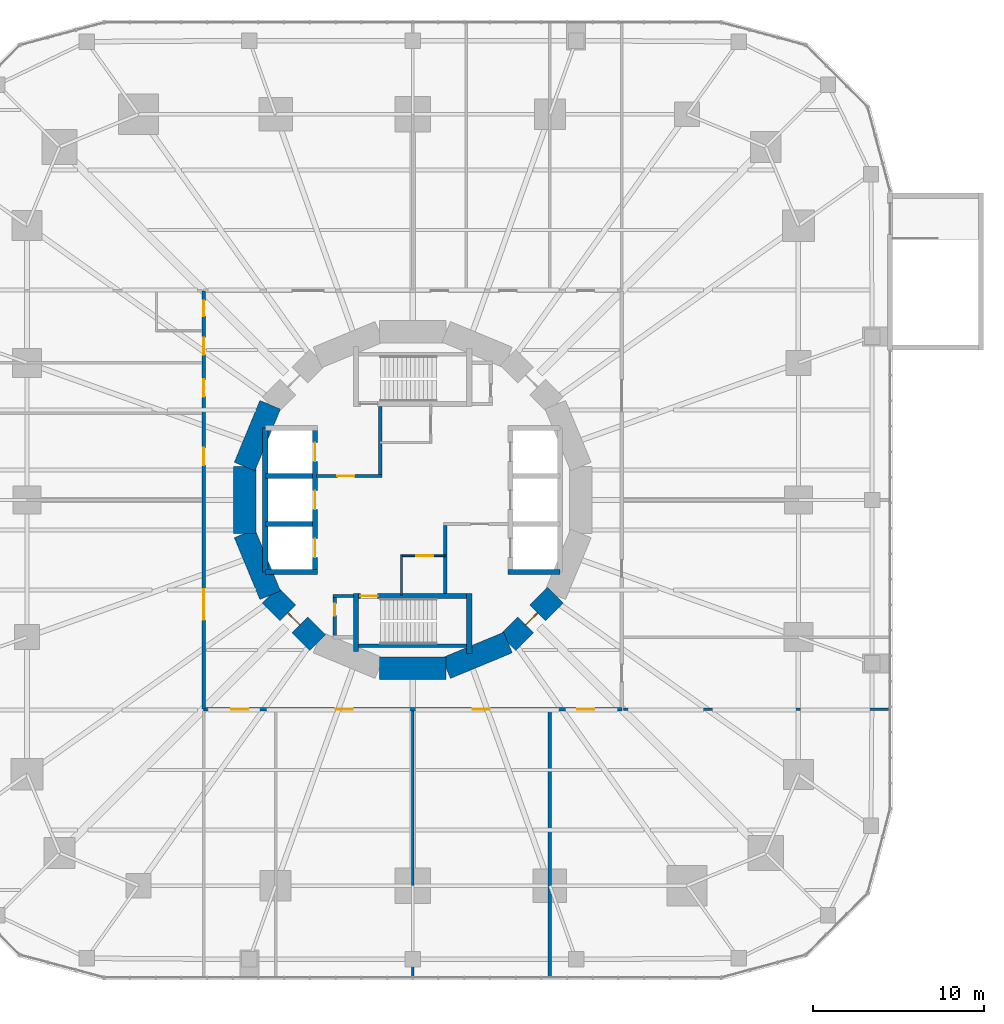
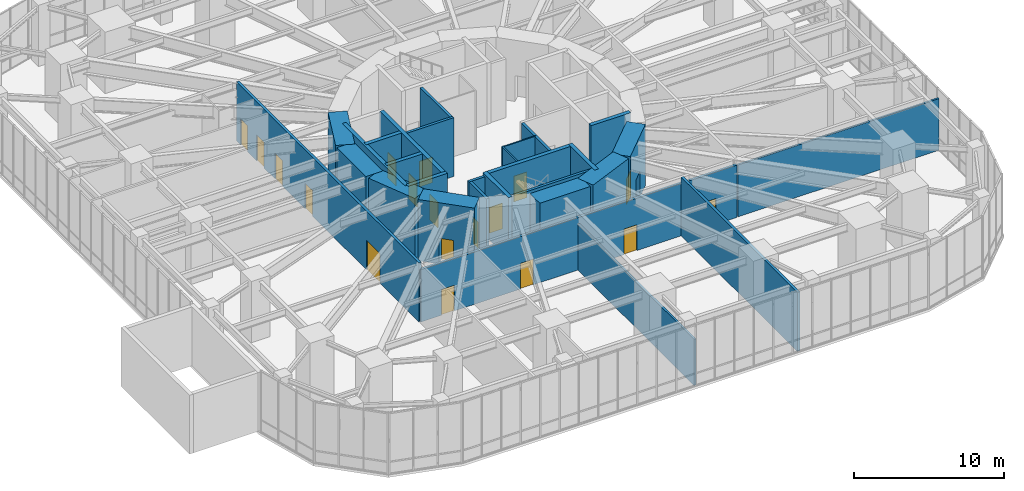
# One storey, part 21 of 24: 29 walls, 18 doors, 18 openings.
"""IFC4 building model written with IfcOpenShell, lengths in metres."""

from ifc_helpers import new_model, si_unit, direction, frame, frame_2d, origin, place, context, subcontext, project, spatial, rectangle, extrude, material, layer, layer_set, type_object, element, fill, save


model = new_model("IFC4")

# Units and contexts
model_context = context("Model", 3, precision=1e-05, world=origin(), true_north=direction((0.0, 1.0)))
body_context = subcontext(model_context, "Body", "Model", "MODEL_VIEW")
ifc_project = project(units=[si_unit("LENGTHUNIT", "METRE"), si_unit("AREAUNIT", "SQUARE_METRE"), si_unit("VOLUMEUNIT", "CUBIC_METRE"), si_unit("PLANEANGLEUNIT", "RADIAN"), si_unit("MASSUNIT", "GRAM", prefix="KILO")], contexts=[model_context])

# Site, building, storey
site_placement = place(None, origin())
site = spatial("IfcSite", under=ifc_project, at=site_placement, CompositionType="ELEMENT")
building_placement = place(site_placement, origin())
building = spatial("IfcBuilding", under=site, at=building_placement, Name="Nakasero Lantern House", CompositionType="ELEMENT")
storey_placement = place(building_placement, frame((0.0, 0.0, 11.0)))
storey = spatial("IfcBuildingStorey", under=building, at=storey_placement, Name="L02", CompositionType="ELEMENT", Elevation=11.0)

# Wall, openings, doors
ifc_material_1 = material(Name="Concrete C50/60", Category="concrete")
ifc_layer_1 = layer(ifc_material_1, 0.300048828125)
ifc_layer_set_1 = layer_set([ifc_layer_1], Name="Core inner wall 300")
wall_type_1 = type_object("IfcWallType", Name="Core inner wall 300", PredefinedType="SHEAR", material=ifc_layer_set_1)
wall_1_placement = place(storey_placement, frame((-5.699951171875, -4.199951171875, 0.0), z_axis=(0.0, 0.0, 1.0), x_axis=(0.0, 1.0, 0.0)))
wall_1 = element("IfcWall", 1, at=wall_1_placement, inside=storey, type_object=wall_type_1, Name="Core inner wall L02 LW", PredefinedType="SHEAR", context=body_context, shape_type="SweptSolid", body=[
    extrude(rectangle(XDim=8.39990234375, YDim=0.300048828125, at=frame_2d((4.199951171875, 0.0))), origin(), (0.0, 0.0, 1.0), 5.0),
])
opening_1_placement = place(wall_1_placement, frame((0.85009765625, 0.0, 0.0)))
opening_1 = element("IfcOpeningElement", 2, at=opening_1_placement, cuts=wall_1, Name="Opening LD", PredefinedType="OPENING", context=body_context, shape_type="SweptSolid", body=[
    extrude(rectangle(XDim=1.10009765625, YDim=2.10009765625, at=frame_2d((0.550048828125, 1.050048828125))), frame((0.0, 0.169921875, 0.0), z_axis=(0.0, -1.0, 0.0), x_axis=(1.0, 0.0, 0.0)), (0.0, 0.0, 1.0), 0.340087890625),
])
opening_2_placement = place(wall_1_placement, frame((3.64990234375, 0.0, 0.0)))
opening_2 = element("IfcOpeningElement", 3, at=opening_2_placement, cuts=wall_1, Name="Opening LD", PredefinedType="OPENING", context=body_context, shape_type="SweptSolid", body=[
    extrude(rectangle(XDim=1.10009765625, YDim=2.10009765625, at=frame_2d((0.550048828125, 1.050048828125))), frame((0.0, 0.169921875, 0.0), z_axis=(0.0, -1.0, 0.0), x_axis=(1.0, 0.0, 0.0)), (0.0, 0.0, 1.0), 0.340087890625),
])
opening_3_placement = place(wall_1_placement, frame((6.449951171875, 0.0, 0.0)))
opening_3 = element("IfcOpeningElement", 4, at=opening_3_placement, cuts=wall_1, Name="Opening LD", PredefinedType="OPENING", context=body_context, shape_type="SweptSolid", body=[
    extrude(rectangle(XDim=1.10009765625, YDim=2.10009765625, at=frame_2d((0.550048828125, 1.050048828125))), frame((0.0, 0.169921875, 0.0), z_axis=(0.0, -1.0, 0.0), x_axis=(1.0, 0.0, 0.0)), (0.0, 0.0, 1.0), 0.340087890625),
])
ifc_material_2 = material(Name="Steel S355", Category="steel")
door_type_1 = type_object("IfcDoorType", Name="Lift landing door E120 1100", OperationType="SLIDING_TO_LEFT", PredefinedType="DOOR", material=ifc_material_2)
door_1_placement = place(opening_1_placement, origin())
door_1 = element("IfcDoor", 5, at=door_1_placement, inside=storey, type_object=door_type_1, Name="Lift landing door LW1", OperationType="SLIDING_TO_LEFT", OverallHeight=2.10009765625, OverallWidth=1.10009765625, PredefinedType="DOOR", context=body_context, shape_type="SweptSolid", body=[
    extrude(rectangle(XDim=1.10009765625, YDim=2.10009765625, at=frame_2d((0.550048828125, 1.050048828125))), frame((0.0, 0.02490234375, 0.0), z_axis=(0.0, -1.0, 0.0), x_axis=(1.0, 0.0, 0.0)), (0.0, 0.0, 1.0), 0.050048828125),
])
fill(opening_1, door_1)
door_2_placement = place(opening_2_placement, origin())
door_2 = element("IfcDoor", 6, at=door_2_placement, inside=storey, type_object=door_type_1, Name="Lift landing door LW2", OperationType="SLIDING_TO_LEFT", OverallHeight=2.10009765625, OverallWidth=1.10009765625, PredefinedType="DOOR", context=body_context, shape_type="SweptSolid", body=[
    extrude(rectangle(XDim=1.10009765625, YDim=2.10009765625, at=frame_2d((0.550048828125, 1.050048828125))), frame((0.0, 0.02490234375, 0.0), z_axis=(0.0, -1.0, 0.0), x_axis=(1.0, 0.0, 0.0)), (0.0, 0.0, 1.0), 0.050048828125),
])
fill(opening_2, door_2)
door_3_placement = place(opening_3_placement, origin())
door_3 = element("IfcDoor", 7, at=door_3_placement, inside=storey, type_object=door_type_1, Name="Lift landing door LW3", OperationType="SLIDING_TO_LEFT", OverallHeight=2.10009765625, OverallWidth=1.10009765625, PredefinedType="DOOR", context=body_context, shape_type="SweptSolid", body=[
    extrude(rectangle(XDim=1.10009765625, YDim=2.10009765625, at=frame_2d((0.550048828125, 1.050048828125))), frame((0.0, 0.02490234375, 0.0), z_axis=(0.0, -1.0, 0.0), x_axis=(1.0, 0.0, 0.0)), (0.0, 0.0, 1.0), 0.050048828125),
])
fill(opening_3, door_3)

# Walls
for number, where, z_axis, x_axis, name in (
    (8, (-8.60009765625, -4.199951171875, 0.0), (0.0, 0.0, 1.0), (1.0, 0.0, 0.0), "Core inner wall L02 LWS"),
    (9, (5.550048828125, -4.199951171875, 0.0), (0.0, 0.0, 1.0), (1.0, 0.0, 0.0), "Core inner wall L02 LES"),
):
    element("IfcWall", number, at=place(storey_placement, frame(where, z_axis=z_axis, x_axis=x_axis)), inside=storey, type_object=wall_type_1, Name=name, PredefinedType="SHEAR", context=body_context, shape_type="SweptSolid", body=[
        extrude(rectangle(XDim=3.050048828125, YDim=0.300048828125, at=frame_2d((1.52490234375, 0.0))), origin(), (0.0, 0.0, 1.0), 5.0),
    ])
wall_2_placement = place(storey_placement, frame((-8.60009765625, -4.199951171875, 0.0), z_axis=(0.0, 0.0, 1.0), x_axis=(0.0, 1.0, 0.0)))
element("IfcWall", 10, at=wall_2_placement, inside=storey, type_object=wall_type_1, Name="Core inner wall L02 LWB", PredefinedType="SHEAR", context=body_context, shape_type="SweptSolid", body=[
    extrude(rectangle(XDim=8.39990234375, YDim=0.300048828125, at=frame_2d((4.199951171875, 0.0))), origin(), (0.0, 0.0, 1.0), 5.0),
])
for number, where, z_axis, x_axis, name in (
    (11, (-8.60009765625, -1.39990234375, 0.0), (0.0, 0.0, 1.0), (1.0, 0.0, 0.0), "Core inner wall L02 LW1"),
    (12, (-8.60009765625, 1.39990234375, 0.0), (0.0, 0.0, 1.0), (1.0, 0.0, 0.0), "Core inner wall L02 LW2"),
):
    element("IfcWall", number, at=place(storey_placement, frame(where, z_axis=z_axis, x_axis=x_axis)), inside=storey, type_object=wall_type_1, Name=name, PredefinedType="SHEAR", context=body_context, shape_type="SweptSolid", body=[
        extrude(rectangle(XDim=2.75, YDim=0.300048828125, at=frame_2d((1.375, 0.0))), origin(), (0.0, 0.0, 1.0), 5.0),
    ])

# Wall, opening, door
wall_3_placement = place(storey_placement, frame((-3.449951171875, -5.60009765625, 0.0), z_axis=(0.0, 0.0, 1.0), x_axis=(1.0, 0.0, 0.0)))
wall_3 = element("IfcWall", 13, at=wall_3_placement, inside=storey, type_object=wall_type_1, Name="Core inner wall L02 SS", PredefinedType="SHEAR", context=body_context, shape_type="SweptSolid", body=[
    extrude(rectangle(XDim=6.89990234375, YDim=0.300048828125, at=frame_2d((3.449951171875, 0.0))), origin(), (0.0, 0.0, 1.0), 5.0),
])
opening_4_placement = place(wall_3_placement, frame((0.39990234375, 0.0, 0.0)))
opening_4 = element("IfcOpeningElement", 14, at=opening_4_placement, cuts=wall_3, Name="Opening D05", PredefinedType="OPENING", context=body_context, shape_type="SweptSolid", body=[
    extrude(rectangle(XDim=1.0, YDim=2.10009765625, at=frame_2d((0.5, 1.050048828125))), frame((0.0, 0.169921875, 0.0), z_axis=(0.0, -1.0, 0.0), x_axis=(1.0, 0.0, 0.0)), (0.0, 0.0, 1.0), 0.340087890625),
])
ifc_material_3 = material(Name="Timber C24", Category="wood")
door_type_2 = type_object("IfcDoorType", Name="Core door FD60S 1000", OperationType="SINGLE_SWING_LEFT", PredefinedType="DOOR", material=ifc_material_3)
door_4_placement = place(opening_4_placement, origin())
door_4 = element("IfcDoor", 15, at=door_4_placement, inside=storey, type_object=door_type_2, Name="Door L02 D-ST2", OperationType="SINGLE_SWING_LEFT", OverallHeight=2.10009765625, OverallWidth=1.0, PredefinedType="DOOR", context=body_context, shape_type="SweptSolid", body=[
    extrude(rectangle(XDim=1.0, YDim=2.10009765625, at=frame_2d((0.5, 1.050048828125))), frame((0.0, 0.02490234375, 0.0), z_axis=(0.0, -1.0, 0.0), x_axis=(1.0, 0.0, 0.0)), (0.0, 0.0, 1.0), 0.050048828125),
])
fill(opening_4, door_4)

# Walls
wall_4_placement = place(storey_placement, frame((-3.300048828125, -5.449951171875, 0.0), z_axis=(0.0, 0.0, 1.0), x_axis=(0.0, -1.0, 0.0)))
element("IfcWall", 16, at=wall_4_placement, inside=storey, type_object=wall_type_1, Name="Core inner wall L02 SSW", PredefinedType="SHEAR", context=body_context, shape_type="SweptSolid", body=[
    extrude(rectangle(XDim=3.400146484375, YDim=0.300048828125, at=frame_2d((1.7001953125, 0.0))), origin(), (0.0, 0.0, 1.0), 5.0),
])
wall_5_placement = place(storey_placement, frame((3.300048828125, -5.449951171875, 0.0), z_axis=(0.0, 0.0, 1.0), x_axis=(0.0, -1.0, 0.0)))
element("IfcWall", 17, at=wall_5_placement, inside=storey, type_object=wall_type_1, Name="Core inner wall L02 SSE", PredefinedType="SHEAR", context=body_context, shape_type="SweptSolid", body=[
    extrude(rectangle(XDim=3.5, YDim=0.300048828125, at=frame_2d((1.75, 0.0))), origin(), (0.0, 0.0, 1.0), 5.0),
])

# Wall, opening, door
ifc_material_4 = material(Name="Blockwork", Category="masonry")
ifc_layer_2 = layer(ifc_material_4, 0.10009765625)
ifc_layer_set_2 = layer_set([ifc_layer_2], Name="Core room wall 100")
wall_type_2 = type_object("IfcWallType", Name="Core room wall 100", PredefinedType="PARTITIONING", material=ifc_layer_set_2)
wall_6_placement = place(storey_placement, frame((-0.699951171875, -3.25, 0.0), z_axis=(0.0, 0.0, 1.0), x_axis=(1.0, 0.0, 0.0)))
wall_6 = element("IfcWall", 18, at=wall_6_placement, inside=storey, type_object=wall_type_2, Name="Core room wall L02 CR-SWN", PredefinedType="PARTITIONING", context=body_context, shape_type="SweptSolid", body=[
    extrude(rectangle(XDim=2.599853515625, YDim=0.10009765625, at=frame_2d((1.2998046875, 0.0))), origin(), (0.0, 0.0, 1.0), 4.800048828125),
])
opening_5_placement = place(wall_6_placement, frame((0.89990234375, 0.0, 0.0)))
opening_5 = element("IfcOpeningElement", 19, at=opening_5_placement, cuts=wall_6, Name="Opening D07", PredefinedType="OPENING", context=body_context, shape_type="SweptSolid", body=[
    extrude(rectangle(XDim=1.0, YDim=2.10009765625, at=frame_2d((0.5, 1.050048828125))), frame((0.0, 0.070068359375, 0.0), z_axis=(0.0, -1.0, 0.0), x_axis=(1.0, 0.0, 0.0)), (0.0, 0.0, 1.0), 0.14013671875),
])
ifc_material_5 = material(Name="Timber C24", Category="wood")
door_type_3 = type_object("IfcDoorType", Name="Room door FD30S 1000", OperationType="SINGLE_SWING_LEFT", PredefinedType="DOOR", material=ifc_material_5)
door_5_placement = place(opening_5_placement, origin())
door_5 = element("IfcDoor", 20, at=door_5_placement, inside=storey, type_object=door_type_3, Name="Door L02 D-CR-SW", OperationType="SINGLE_SWING_RIGHT", OverallHeight=2.10009765625, OverallWidth=1.0, PredefinedType="DOOR", context=body_context, shape_type="SweptSolid", body=[
    extrude(rectangle(XDim=1.0, YDim=2.10009765625, at=frame_2d((0.5, 1.050048828125))), frame((0.0, 0.02490234375, 0.0), z_axis=(0.0, -1.0, 0.0), x_axis=(1.0, 0.0, 0.0)), (0.0, 0.0, 1.0), 0.050048828125),
])
fill(opening_5, door_5)

# Walls
wall_7_placement = place(storey_placement, frame((-0.64990234375, -5.550048828125, 0.0), z_axis=(0.0, 0.0, 1.0), x_axis=(0.0, 1.0, 0.0)))
element("IfcWall", 21, at=wall_7_placement, inside=storey, type_object=wall_type_2, Name="Core room wall L02 CR-SWW", PredefinedType="PARTITIONING", context=body_context, shape_type="SweptSolid", body=[
    extrude(rectangle(XDim=2.35009765625, YDim=0.10009765625, at=frame_2d((1.175048828125, 0.0))), origin(), (0.0, 0.0, 1.0), 4.800048828125),
])
ifc_material_6 = material(Name="Concrete C50/60", Category="concrete")
ifc_layer_3 = layer(ifc_material_6, 1.300048828125)
ifc_layer_set_3 = layer_set([ifc_layer_3], Name="Core wall 1300")
wall_type_3 = type_object("IfcWallType", Name="Core wall 1300", PredefinedType="SHEAR", material=ifc_layer_set_3)
for number, where, z_axis, x_axis, name in (
    (22, (-8.314697265625, 5.5556640625, 0.0), (0.0, 0.0, 1.0), (-0.382690736062, -0.923876507187, 0.0), "Core wall L02 facet 7"),
    (23, (-9.807861328125, 1.950927734375, 0.0), (0.0, 0.0, 1.0), (0.0, -1.0, 0.0), "Core wall L02 facet 8"),
    (24, (-9.807861328125, -1.950927734375, 0.0), (0.0, 0.0, 1.0), (0.382690736062, -0.923876507187, 0.0), "Core wall L02 facet 9"),
):
    element("IfcWall", number, at=place(storey_placement, frame(where, z_axis=z_axis, x_axis=x_axis)), inside=storey, type_object=wall_type_3, Name=name, PredefinedType="SHEAR", context=body_context, shape_type="SweptSolid", body=[
        extrude(rectangle(XDim=3.90185546875, YDim=1.300048828125, at=frame_2d((1.950927734375, 0.0))), origin(), (0.0, 0.0, 1.0), 5.0),
    ])

# Wall, opening, door
wall_8_placement = place(storey_placement, frame((-8.314697265625, -5.5556640625, 0.0), z_axis=(0.0, 0.0, 1.0), x_axis=(0.707106781187, -0.707106781187, 0.0)))
wall_8 = element("IfcWall", 25, at=wall_8_placement, inside=storey, type_object=wall_type_3, Name="Core wall L02 facet 10", PredefinedType="SHEAR", context=body_context, shape_type="SweptSolid", body=[
    extrude(rectangle(XDim=3.90185546875, YDim=1.300048828125, at=frame_2d((1.950927734375, 0.0))), origin(), (0.0, 0.0, 1.0), 5.0),
])
opening_6_placement = place(wall_8_placement, frame((1.450927734375, 0.0, 0.0)))
opening_6 = element("IfcOpeningElement", 26, at=opening_6_placement, cuts=wall_8, Name="Opening D05", PredefinedType="OPENING", context=body_context, shape_type="SweptSolid", body=[
    extrude(rectangle(XDim=1.0, YDim=2.10009765625, at=frame_2d((0.5, 1.050048828125))), frame((0.0, 0.669921875, 0.0), z_axis=(0.0, -1.0, 0.0), x_axis=(1.0, 0.0, 0.0)), (0.0, 0.0, 1.0), 1.340087890625),
])
door_6_placement = place(opening_6_placement, origin())
door_6 = element("IfcDoor", 27, at=door_6_placement, inside=storey, type_object=door_type_2, Name="Door L02 D-CORE10", OperationType="SINGLE_SWING_LEFT", OverallHeight=2.10009765625, OverallWidth=1.0, PredefinedType="DOOR", context=body_context, shape_type="SweptSolid", body=[
    extrude(rectangle(XDim=1.0, YDim=2.10009765625, at=frame_2d((0.5, 1.050048828125))), frame((0.0, 0.02490234375, 0.0), z_axis=(0.0, -1.0, 0.0), x_axis=(1.0, 0.0, 0.0)), (0.0, 0.0, 1.0), 0.050048828125),
])
fill(opening_6, door_6)

# Walls
for number, where, z_axis, x_axis, name in (
    (28, (-1.950927734375, -9.807861328125, 0.0), (0.0, 0.0, 1.0), (1.0, 0.0, 0.0), "Core wall L02 facet 12"),
    (29, (1.950927734375, -9.807861328125, 0.0), (0.0, 0.0, 1.0), (0.923876507187, 0.382690736062, 0.0), "Core wall L02 facet 13"),
):
    element("IfcWall", number, at=place(storey_placement, frame(where, z_axis=z_axis, x_axis=x_axis)), inside=storey, type_object=wall_type_3, Name=name, PredefinedType="SHEAR", context=body_context, shape_type="SweptSolid", body=[
        extrude(rectangle(XDim=3.90185546875, YDim=1.300048828125, at=frame_2d((1.950927734375, 0.0))), origin(), (0.0, 0.0, 1.0), 5.0),
    ])

# Wall, opening, door
wall_9_placement = place(storey_placement, frame((5.5556640625, -8.314697265625, 0.0), z_axis=(0.0, 0.0, 1.0), x_axis=(0.707106781187, 0.707106781187, 0.0)))
wall_9 = element("IfcWall", 30, at=wall_9_placement, inside=storey, type_object=wall_type_3, Name="Core wall L02 facet 14", PredefinedType="SHEAR", context=body_context, shape_type="SweptSolid", body=[
    extrude(rectangle(XDim=3.90185546875, YDim=1.300048828125, at=frame_2d((1.950927734375, 0.0))), origin(), (0.0, 0.0, 1.0), 5.0),
])
opening_7_placement = place(wall_9_placement, frame((1.450927734375, 0.0, 0.0)))
opening_7 = element("IfcOpeningElement", 31, at=opening_7_placement, cuts=wall_9, Name="Opening D05", PredefinedType="OPENING", context=body_context, shape_type="SweptSolid", body=[
    extrude(rectangle(XDim=1.0, YDim=2.10009765625, at=frame_2d((0.5, 1.050048828125))), frame((0.0, 0.669921875, 0.0), z_axis=(0.0, -1.0, 0.0), x_axis=(1.0, 0.0, 0.0)), (0.0, 0.0, 1.0), 1.340087890625),
])
door_7_placement = place(opening_7_placement, origin())
door_7 = element("IfcDoor", 32, at=door_7_placement, inside=storey, type_object=door_type_2, Name="Door L02 D-CORE14", OperationType="SINGLE_SWING_LEFT", OverallHeight=2.10009765625, OverallWidth=1.0, PredefinedType="DOOR", context=body_context, shape_type="SweptSolid", body=[
    extrude(rectangle(XDim=1.0, YDim=2.10009765625, at=frame_2d((0.5, 1.050048828125))), frame((0.0, 0.02490234375, 0.0), z_axis=(0.0, -1.0, 0.0), x_axis=(1.0, 0.0, 0.0)), (0.0, 0.0, 1.0), 0.050048828125),
])
fill(opening_7, door_7)

# Wall, openings, doors
ifc_material_7 = material(Name="Blockwork", Category="masonry")
ifc_layer_4 = layer(ifc_material_7, 0.199951171875)
ifc_layer_set_4 = layer_set([ifc_layer_4], Name="Corridor wall 200")
wall_type_4 = type_object("IfcWallType", Name="Corridor wall 200", PredefinedType="PARTITIONING", material=ifc_layer_set_4)
wall_10_placement = place(storey_placement, frame((-12.199951171875, 12.199951171875, 0.0), z_axis=(0.0, 0.0, 1.0), x_axis=(0.0, -1.0, 0.0)))
wall_10 = element("IfcWall", 33, at=wall_10_placement, inside=storey, type_object=wall_type_4, Name="Corridor wall L02 CW2", PredefinedType="PARTITIONING", context=body_context, shape_type="SweptSolid", body=[
    extrude(rectangle(XDim=24.39990234375, YDim=0.199951171875, at=frame_2d((12.199951171875, 0.0))), origin(), (0.0, 0.0, 1.0), 4.800048828125),
])
opening_8_placement = place(wall_10_placement, frame((0.574951171875, 0.0, 0.0)))
opening_8 = element("IfcOpeningElement", 34, at=opening_8_placement, cuts=wall_10, Name="Opening D16", PredefinedType="OPENING", context=body_context, shape_type="SweptSolid", body=[
    extrude(rectangle(XDim=0.89990234375, YDim=2.10009765625, at=frame_2d((0.449951171875, 1.050048828125))), frame((0.0, 0.119873046875, 0.0), z_axis=(0.0, -1.0, 0.0), x_axis=(1.0, 0.0, 0.0)), (0.0, 0.0, 1.0), 0.239990234375),
])
opening_9_placement = place(wall_10_placement, frame((2.72509765625, 0.0, 0.0)))
opening_9 = element("IfcOpeningElement", 35, at=opening_9_placement, cuts=wall_10, Name="Opening D07", PredefinedType="OPENING", context=body_context, shape_type="SweptSolid", body=[
    extrude(rectangle(XDim=1.0, YDim=2.10009765625, at=frame_2d((0.5, 1.050048828125))), frame((0.0, 0.119873046875, 0.0), z_axis=(0.0, -1.0, 0.0), x_axis=(1.0, 0.0, 0.0)), (0.0, 0.0, 1.0), 0.239990234375),
])
opening_10_placement = place(wall_10_placement, frame((5.1640625, 0.0, 0.0)))
opening_10 = element("IfcOpeningElement", 36, at=opening_10_placement, cuts=wall_10, Name="Opening D07", PredefinedType="OPENING", context=body_context, shape_type="SweptSolid", body=[
    extrude(rectangle(XDim=1.0, YDim=2.10009765625, at=frame_2d((0.5, 1.050048828125))), frame((0.0, 0.119873046875, 0.0), z_axis=(0.0, -1.0, 0.0), x_axis=(1.0, 0.0, 0.0)), (0.0, 0.0, 1.0), 0.239990234375),
])
opening_11_placement = place(wall_10_placement, frame((9.1640625, 0.0, 0.0)))
opening_11 = element("IfcOpeningElement", 37, at=opening_11_placement, cuts=wall_10, Name="Opening D07", PredefinedType="OPENING", context=body_context, shape_type="SweptSolid", body=[
    extrude(rectangle(XDim=1.0, YDim=2.10009765625, at=frame_2d((0.5, 1.050048828125))), frame((0.0, 0.119873046875, 0.0), z_axis=(0.0, -1.0, 0.0), x_axis=(1.0, 0.0, 0.0)), (0.0, 0.0, 1.0), 0.239990234375),
])
opening_12_placement = place(wall_10_placement, frame((17.39990234375, 0.0, 0.0)))
opening_12 = element("IfcOpeningElement", 38, at=opening_12_placement, cuts=wall_10, Name="Opening D12", PredefinedType="OPENING", context=body_context, shape_type="SweptSolid", body=[
    extrude(rectangle(XDim=1.800048828125, YDim=2.39990234375, at=frame_2d((0.89990234375, 1.199951171875))), frame((0.0, 0.119873046875, 0.0), z_axis=(0.0, -1.0, 0.0), x_axis=(1.0, 0.0, 0.0)), (0.0, 0.0, 1.0), 0.239990234375),
])
ifc_material_8 = material(Name="Timber C24", Category="wood")
door_type_4 = type_object("IfcDoorType", Name="Accessible WC door 900", OperationType="SINGLE_SWING_RIGHT", PredefinedType="DOOR", material=ifc_material_8)
door_8_placement = place(opening_8_placement, origin())
door_8 = element("IfcDoor", 39, at=door_8_placement, inside=storey, type_object=door_type_4, Name="Door L02 DW2-00", OperationType="SINGLE_SWING_LEFT", OverallHeight=2.10009765625, OverallWidth=0.89990234375, PredefinedType="DOOR", context=body_context, shape_type="SweptSolid", body=[
    extrude(rectangle(XDim=0.89990234375, YDim=2.10009765625, at=frame_2d((0.449951171875, 1.050048828125))), frame((0.0, 0.02490234375, 0.0), z_axis=(0.0, -1.0, 0.0), x_axis=(1.0, 0.0, 0.0)), (0.0, 0.0, 1.0), 0.050048828125),
])
fill(opening_8, door_8)
door_9_placement = place(opening_9_placement, origin())
door_9 = element("IfcDoor", 40, at=door_9_placement, inside=storey, type_object=door_type_3, Name="Door L02 D2-00", OperationType="SINGLE_SWING_LEFT", OverallHeight=2.10009765625, OverallWidth=1.0, PredefinedType="DOOR", context=body_context, shape_type="SweptSolid", body=[
    extrude(rectangle(XDim=1.0, YDim=2.10009765625, at=frame_2d((0.5, 1.050048828125))), frame((0.0, 0.02490234375, 0.0), z_axis=(0.0, -1.0, 0.0), x_axis=(1.0, 0.0, 0.0)), (0.0, 0.0, 1.0), 0.050048828125),
])
fill(opening_9, door_9)
door_10_placement = place(opening_10_placement, origin())
door_10 = element("IfcDoor", 41, at=door_10_placement, inside=storey, type_object=door_type_3, Name="Door L02 D2-01", OperationType="SINGLE_SWING_LEFT", OverallHeight=2.10009765625, OverallWidth=1.0, PredefinedType="DOOR", context=body_context, shape_type="SweptSolid", body=[
    extrude(rectangle(XDim=1.0, YDim=2.10009765625, at=frame_2d((0.5, 1.050048828125))), frame((0.0, 0.02490234375, 0.0), z_axis=(0.0, -1.0, 0.0), x_axis=(1.0, 0.0, 0.0)), (0.0, 0.0, 1.0), 0.050048828125),
])
fill(opening_10, door_10)
door_11_placement = place(opening_11_placement, origin())
door_11 = element("IfcDoor", 42, at=door_11_placement, inside=storey, type_object=door_type_3, Name="Door L02 D2-02", OperationType="SINGLE_SWING_LEFT", OverallHeight=2.10009765625, OverallWidth=1.0, PredefinedType="DOOR", context=body_context, shape_type="SweptSolid", body=[
    extrude(rectangle(XDim=1.0, YDim=2.10009765625, at=frame_2d((0.5, 1.050048828125))), frame((0.0, 0.02490234375, 0.0), z_axis=(0.0, -1.0, 0.0), x_axis=(1.0, 0.0, 0.0)), (0.0, 0.0, 1.0), 0.050048828125),
])
fill(opening_11, door_11)
ifc_material_9 = material(Name="Timber C24", Category="wood")
door_type_5 = type_object("IfcDoorType", Name="Room doors FD30S 1800", OperationType="DOUBLE_DOOR_SINGLE_SWING", PredefinedType="DOOR", material=ifc_material_9)
door_12_placement = place(opening_12_placement, origin())
door_12 = element("IfcDoor", 43, at=door_12_placement, inside=storey, type_object=door_type_5, Name="Door L02 D2-03", OperationType="DOUBLE_DOOR_SINGLE_SWING", OverallHeight=2.39990234375, OverallWidth=1.800048828125, PredefinedType="DOOR", context=body_context, shape_type="SweptSolid", body=[
    extrude(rectangle(XDim=1.800048828125, YDim=2.39990234375, at=frame_2d((0.89990234375, 1.199951171875))), frame((0.0, 0.02490234375, 0.0), z_axis=(0.0, -1.0, 0.0), x_axis=(1.0, 0.0, 0.0)), (0.0, 0.0, 1.0), 0.050048828125),
])
fill(opening_12, door_12)

wall_11_placement = place(storey_placement, frame((-12.199951171875, -12.199951171875, 0.0), z_axis=(0.0, 0.0, 1.0), x_axis=(1.0, 0.0, 0.0)))
wall_11 = element("IfcWall", 44, at=wall_11_placement, inside=storey, type_object=wall_type_4, Name="Corridor wall L02 CW3", PredefinedType="PARTITIONING", context=body_context, shape_type="SweptSolid", body=[
    extrude(rectangle(XDim=24.39990234375, YDim=0.199951171875, at=frame_2d((12.199951171875, 0.0))), origin(), (0.0, 0.0, 1.0), 4.271728515625),
])
opening_13_placement = place(wall_11_placement, frame((1.60009765625, 0.0, 0.0)))
opening_13 = element("IfcOpeningElement", 45, at=opening_13_placement, cuts=wall_11, Name="Opening D07", PredefinedType="OPENING", context=body_context, shape_type="SweptSolid", body=[
    extrude(rectangle(XDim=1.0, YDim=2.10009765625, at=frame_2d((0.5, 1.050048828125))), frame((0.0, 0.119873046875, 0.0), z_axis=(0.0, -1.0, 0.0), x_axis=(1.0, 0.0, 0.0)), (0.0, 0.0, 1.0), 0.239990234375),
])
opening_14_placement = place(wall_11_placement, frame((7.699951171875, 0.0, 0.0)))
opening_14 = element("IfcOpeningElement", 46, at=opening_14_placement, cuts=wall_11, Name="Opening D07", PredefinedType="OPENING", context=body_context, shape_type="SweptSolid", body=[
    extrude(rectangle(XDim=1.0, YDim=2.10009765625, at=frame_2d((0.5, 1.050048828125))), frame((0.0, 0.119873046875, 0.0), z_axis=(0.0, -1.0, 0.0), x_axis=(1.0, 0.0, 0.0)), (0.0, 0.0, 1.0), 0.239990234375),
])
opening_15_placement = place(wall_11_placement, frame((15.699951171875, 0.0, 0.0)))
opening_15 = element("IfcOpeningElement", 47, at=opening_15_placement, cuts=wall_11, Name="Opening D07", PredefinedType="OPENING", context=body_context, shape_type="SweptSolid", body=[
    extrude(rectangle(XDim=1.0, YDim=2.10009765625, at=frame_2d((0.5, 1.050048828125))), frame((0.0, 0.119873046875, 0.0), z_axis=(0.0, -1.0, 0.0), x_axis=(1.0, 0.0, 0.0)), (0.0, 0.0, 1.0), 0.239990234375),
])
opening_16_placement = place(wall_11_placement, frame((21.79833984375, 0.0, 0.0)))
opening_16 = element("IfcOpeningElement", 48, at=opening_16_placement, cuts=wall_11, Name="Opening D13", PredefinedType="OPENING", context=body_context, shape_type="SweptSolid", body=[
    extrude(rectangle(XDim=1.0, YDim=2.10009765625, at=frame_2d((0.5, 1.050048828125))), frame((0.0, 0.119873046875, 0.0), z_axis=(0.0, -1.0, 0.0), x_axis=(1.0, 0.0, 0.0)), (0.0, 0.0, 1.0), 0.239990234375),
])
ifc_material_10 = material(Name="Steel S355", Category="steel")
door_type_6 = type_object("IfcDoorType", Name="Plant room door FD60 1000", OperationType="SINGLE_SWING_LEFT", PredefinedType="DOOR", material=ifc_material_10)
door_13_placement = place(opening_16_placement, origin())
door_13 = element("IfcDoor", 49, at=door_13_placement, inside=storey, type_object=door_type_6, Name="Door L02 D3-03", OperationType="SINGLE_SWING_RIGHT", OverallHeight=2.10009765625, OverallWidth=1.0, PredefinedType="DOOR", context=body_context, shape_type="SweptSolid", body=[
    extrude(rectangle(XDim=1.0, YDim=2.10009765625, at=frame_2d((0.5, 1.050048828125))), frame((0.0, 0.02490234375, 0.0), z_axis=(0.0, -1.0, 0.0), x_axis=(1.0, 0.0, 0.0)), (0.0, 0.0, 1.0), 0.050048828125),
])
fill(opening_16, door_13)
door_14_placement = place(opening_13_placement, origin())
door_14 = element("IfcDoor", 50, at=door_14_placement, inside=storey, type_object=door_type_3, Name="Door L02 D3-00", OperationType="SINGLE_SWING_LEFT", OverallHeight=2.10009765625, OverallWidth=1.0, PredefinedType="DOOR", context=body_context, shape_type="SweptSolid", body=[
    extrude(rectangle(XDim=1.0, YDim=2.10009765625, at=frame_2d((0.5, 1.050048828125))), frame((0.0, 0.02490234375, 0.0), z_axis=(0.0, -1.0, 0.0), x_axis=(1.0, 0.0, 0.0)), (0.0, 0.0, 1.0), 0.050048828125),
])
fill(opening_13, door_14)
door_15_placement = place(opening_14_placement, origin())
door_15 = element("IfcDoor", 51, at=door_15_placement, inside=storey, type_object=door_type_3, Name="Door L02 D3-01", OperationType="SINGLE_SWING_LEFT", OverallHeight=2.10009765625, OverallWidth=1.0, PredefinedType="DOOR", context=body_context, shape_type="SweptSolid", body=[
    extrude(rectangle(XDim=1.0, YDim=2.10009765625, at=frame_2d((0.5, 1.050048828125))), frame((0.0, 0.02490234375, 0.0), z_axis=(0.0, -1.0, 0.0), x_axis=(1.0, 0.0, 0.0)), (0.0, 0.0, 1.0), 0.050048828125),
])
fill(opening_14, door_15)
door_16_placement = place(opening_15_placement, origin())
door_16 = element("IfcDoor", 52, at=door_16_placement, inside=storey, type_object=door_type_3, Name="Door L02 D3-02", OperationType="SINGLE_SWING_RIGHT", OverallHeight=2.10009765625, OverallWidth=1.0, PredefinedType="DOOR", context=body_context, shape_type="SweptSolid", body=[
    extrude(rectangle(XDim=1.0, YDim=2.10009765625, at=frame_2d((0.5, 1.050048828125))), frame((0.0, 0.02490234375, 0.0), z_axis=(0.0, -1.0, 0.0), x_axis=(1.0, 0.0, 0.0)), (0.0, 0.0, 1.0), 0.050048828125),
])
fill(opening_15, door_16)

# Wall, opening, door
ifc_material_11 = material(Name="Blockwork", Category="masonry")
ifc_layer_5 = layer(ifc_material_11, 0.199951171875)
ifc_layer_set_5 = layer_set([ifc_layer_5], Name="Fire lobby wall 200")
wall_type_5 = type_object("IfcWallType", Name="Fire lobby wall 200", PredefinedType="PARTITIONING", material=ifc_layer_set_5)
wall_12_placement = place(storey_placement, frame((-5.60009765625, 1.39990234375, 0.0), z_axis=(0.0, 0.0, 1.0), x_axis=(1.0, 0.0, 0.0)))
wall_12 = element("IfcWall", 53, at=wall_12_placement, inside=storey, type_object=wall_type_5, Name="Fire lobby wall L02 W-FL1S", PredefinedType="PARTITIONING", context=body_context, shape_type="SweptSolid", body=[
    extrude(rectangle(XDim=3.800048828125, YDim=0.199951171875, at=frame_2d((1.89990234375, 0.0))), origin(), (0.0, 0.0, 1.0), 4.800048828125),
])
opening_17_placement = place(wall_12_placement, frame((1.199951171875, 0.0, 0.0)))
opening_17 = element("IfcOpeningElement", 54, at=opening_17_placement, cuts=wall_12, Name="Opening D05", PredefinedType="OPENING", context=body_context, shape_type="SweptSolid", body=[
    extrude(rectangle(XDim=1.0, YDim=2.10009765625, at=frame_2d((0.5, 1.050048828125))), frame((0.0, 0.119873046875, 0.0), z_axis=(0.0, -1.0, 0.0), x_axis=(1.0, 0.0, 0.0)), (0.0, 0.0, 1.0), 0.239990234375),
])
door_17_placement = place(opening_17_placement, origin())
door_17 = element("IfcDoor", 55, at=door_17_placement, inside=storey, type_object=door_type_2, Name="Door L02 D-FL1", OperationType="SINGLE_SWING_LEFT", OverallHeight=2.10009765625, OverallWidth=1.0, PredefinedType="DOOR", context=body_context, shape_type="SweptSolid", body=[
    extrude(rectangle(XDim=1.0, YDim=2.10009765625, at=frame_2d((0.5, 1.050048828125))), frame((0.0, 0.02490234375, 0.0), z_axis=(0.0, -1.0, 0.0), x_axis=(1.0, 0.0, 0.0)), (0.0, 0.0, 1.0), 0.050048828125),
])
fill(opening_17, door_17)

# Walls
for number, where, z_axis, x_axis, name in (
    (56, (-1.89990234375, 1.5, 0.0), (0.0, 0.0, 1.0), (0.0, 1.0, 0.0), "Fire lobby wall L02 W-FL1E"),
    (57, (1.89990234375, -1.5, 0.0), (0.0, 0.0, 1.0), (0.0, -1.0, 0.0), "Fire lobby wall L02 W-FL2W"),
):
    element("IfcWall", number, at=place(storey_placement, frame(where, z_axis=z_axis, x_axis=x_axis)), inside=storey, type_object=wall_type_5, Name=name, PredefinedType="PARTITIONING", context=body_context, shape_type="SweptSolid", body=[
        extrude(rectangle(XDim=3.949951171875, YDim=0.199951171875, at=frame_2d((1.97509765625, 0.0))), origin(), (0.0, 0.0, 1.0), 4.800048828125),
    ])

# Wall, opening, door
wall_13_placement = place(storey_placement, frame((-4.550048828125, -5.60009765625, 0.0), z_axis=(0.0, 0.0, 1.0), x_axis=(0.0, -1.0, 0.0)))
wall_13 = element("IfcWall", 58, at=wall_13_placement, inside=storey, type_object=wall_type_5, Name="Fire lobby wall L02 W-RS2W", PredefinedType="PARTITIONING", context=body_context, shape_type="SweptSolid", body=[
    extrude(rectangle(XDim=2.39990234375, YDim=0.199951171875, at=frame_2d((1.199951171875, 0.0))), origin(), (0.0, 0.0, 1.0), 4.800048828125),
])
opening_18_placement = place(wall_13_placement, frame((0.449951171875, 0.0, 0.0)))
opening_18 = element("IfcOpeningElement", 59, at=opening_18_placement, cuts=wall_13, Name="Opening D06", PredefinedType="OPENING", context=body_context, shape_type="SweptSolid", body=[
    extrude(rectangle(XDim=0.699951171875, YDim=2.10009765625, at=frame_2d((0.35009765625, 1.050048828125))), frame((0.0, 0.119873046875, 0.0), z_axis=(0.0, -1.0, 0.0), x_axis=(1.0, 0.0, 0.0)), (0.0, 0.0, 1.0), 0.239990234375),
])
ifc_material_12 = material(Name="Steel S355", Category="steel")
door_type_7 = type_object("IfcDoorType", Name="Riser door FD60 700", OperationType="SINGLE_SWING_LEFT", PredefinedType="DOOR", material=ifc_material_12)
door_18_placement = place(opening_18_placement, origin())
door_18 = element("IfcDoor", 60, at=door_18_placement, inside=storey, type_object=door_type_7, Name="Door L02 D-RS2", OperationType="SINGLE_SWING_LEFT", OverallHeight=2.10009765625, OverallWidth=0.699951171875, PredefinedType="DOOR", context=body_context, shape_type="SweptSolid", body=[
    extrude(rectangle(XDim=0.699951171875, YDim=2.10009765625, at=frame_2d((0.35009765625, 1.050048828125))), frame((0.0, 0.02490234375, 0.0), z_axis=(0.0, -1.0, 0.0), x_axis=(1.0, 0.0, 0.0)), (0.0, 0.0, 1.0), 0.050048828125),
])
fill(opening_18, door_18)

# Walls
wall_14_placement = place(storey_placement, frame((-3.449951171875, -5.60009765625, 0.0), z_axis=(0.0, 0.0, 1.0), x_axis=(-1.0, 0.0, 0.0)))
element("IfcWall", 61, at=wall_14_placement, inside=storey, type_object=wall_type_5, Name="Fire lobby wall L02 W-RS2N", PredefinedType="PARTITIONING", context=body_context, shape_type="SweptSolid", body=[
    extrude(rectangle(XDim=1.199951171875, YDim=0.199951171875, at=frame_2d((0.60009765625, 0.0))), origin(), (0.0, 0.0, 1.0), 4.800048828125),
])
wall_15_placement = place(storey_placement, frame((-3.300048828125, -8.5, 0.0), z_axis=(0.0, 0.0, 1.0), x_axis=(1.0, 0.0, 0.0)))
element("IfcWall", 62, at=wall_15_placement, inside=storey, type_object=wall_type_5, Name="Fire lobby wall L02 W-STS", PredefinedType="PARTITIONING", context=body_context, shape_type="SweptSolid", body=[
    extrude(rectangle(XDim=6.60009765625, YDim=0.199951171875, at=frame_2d((3.300048828125, 0.0))), origin(), (0.0, 0.0, 1.0), 4.800048828125),
])
wall_16_placement = place(storey_placement, frame((8.0, -12.300048828125, 0.0), z_axis=(0.0, 0.0, 1.0), x_axis=(0.0, -1.0, 0.0)))
element("IfcWall", 63, at=wall_16_placement, inside=storey, type_object=wall_type_5, Name="Fire lobby wall L02 PW3-03", PredefinedType="PARTITIONING", context=body_context, shape_type="SweptSolid", body=[
    extrude(rectangle(XDim=15.550048828125, YDim=0.199951171875, at=frame_2d((7.77490234375, 0.0))), origin(), (0.0, 0.0, 1.0), 4.800048828125),
])
ifc_material_13 = material(Name="Blockwork", Category="masonry")
ifc_layer_6 = layer(ifc_material_13, 0.14990234375)
ifc_layer_set_6 = layer_set([ifc_layer_6], Name="Party wall 150")
wall_type_6 = type_object("IfcWallType", Name="Party wall 150", PredefinedType="PARTITIONING", material=ifc_layer_set_6)
wall_17_placement = place(storey_placement, frame((12.300048828125, -12.199951171875, 0.0), z_axis=(0.0, 0.0, 1.0), x_axis=(1.0, 0.0, 0.0)))
element("IfcWall", 64, at=wall_17_placement, inside=storey, type_object=wall_type_6, Name="Party wall L02 PW0-00", PredefinedType="PARTITIONING", context=body_context, shape_type="SweptSolid", body=[
    extrude(rectangle(XDim=15.550048828125, YDim=0.14990234375, at=frame_2d((7.77490234375, 0.0))), origin(), (0.0, 0.0, 1.0), 4.2216796875),
])
wall_18_placement = place(storey_placement, frame((0.0, -12.300048828125, 0.0), z_axis=(0.0, 0.0, 1.0), x_axis=(0.0, -1.0, 0.0)))
element("IfcWall", 65, at=wall_18_placement, inside=storey, type_object=wall_type_6, Name="Party wall L02 PW3-02", PredefinedType="PARTITIONING", context=body_context, shape_type="SweptSolid", body=[
    extrude(rectangle(XDim=15.550048828125, YDim=0.14990234375, at=frame_2d((7.77490234375, 0.0))), origin(), (0.0, 0.0, 1.0), 3.77392578125),
])

save(model, "model.ifc")
